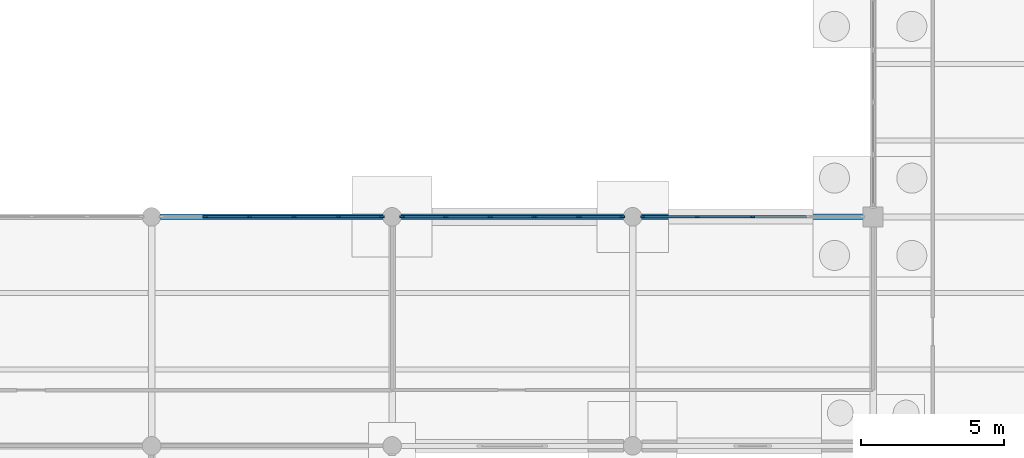
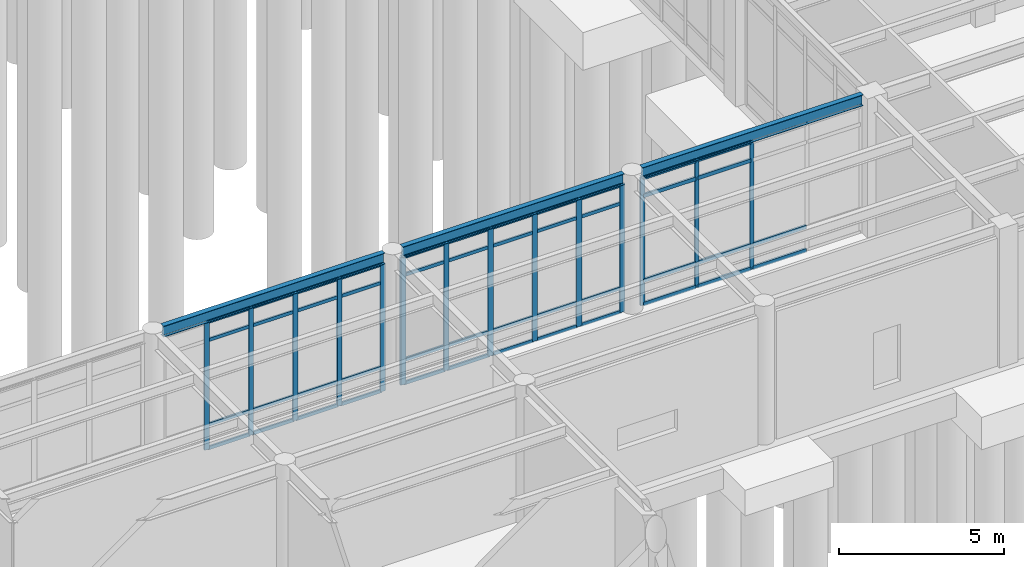
# One storey, part 57 of 138: 60 members, 3 beams, 3 elements without a shape of their own.
"""IFC4 building model written with IfcOpenShell, lengths in metres."""

from ifc_helpers import new_model, si_unit, direction, frame, origin, origin_2d, place, context, subcontext, project, spatial, rectangle, i_section, extrude, material, layer, layer_set, material_profile, profile_set, type_object, element, aggregate, save


model = new_model("IFC4")

# Units and contexts
model_context = context("Model", 3, precision=1e-05, world=origin(), true_north=direction((0.0, 1.0)))
body_context = subcontext(model_context, "Body", "Model", "MODEL_VIEW")
ifc_project = project(units=[si_unit("LENGTHUNIT", "METRE"), si_unit("AREAUNIT", "SQUARE_METRE"), si_unit("VOLUMEUNIT", "CUBIC_METRE"), si_unit("PLANEANGLEUNIT", "RADIAN"), si_unit("MASSUNIT", "GRAM", prefix="KILO")], contexts=[model_context])

# Site, building, storey
site_placement = place(None, origin())
site = spatial("IfcSite", under=ifc_project, at=site_placement, CompositionType="ELEMENT")
building_placement = place(site_placement, origin())
building = spatial("IfcBuilding", under=site, at=building_placement, Name="Kranzveld Transit Interchange", CompositionType="ELEMENT")
storey_placement = place(building_placement, origin())
storey = spatial("IfcBuildingStorey", under=building, at=storey_placement, Name="L00", CompositionType="ELEMENT", Elevation=0.0)

# Curtain wall, members
ifc_material_1 = material(Name="Bronze-anodised thermally broken aluminium", Category="aluminium")
ifc_layer_1 = layer(ifc_material_1, 0.159912109375)
ifc_layer_set_1 = layer_set([ifc_layer_1], Name="Bronze-anodised thermally broken aluminium")
curtain_wall_type_1 = type_object("IfcCurtainWallType", Name="Bus Boarding Glazed Screen CW-3", PredefinedType="USERDEFINED", material=ifc_layer_set_1)
curtain_wall_1_placement = place(storey_placement, origin())
curtain_wall_1 = element("IfcCurtainWall", 1, at=curtain_wall_1_placement, inside=storey, type_object=curtain_wall_type_1, Name="L00 Curtain Wall 18/J-19/J", ObjectType="CURTAIN WALL", PredefinedType="USERDEFINED")
ifc_material_2 = material(Name="Bronze-anodised thermally broken aluminium", Category="aluminium")
ifc_material_profile_1 = material_profile(ifc_material_2, rectangle(XDim=0.06005859375, YDim=0.14990234375, at=origin_2d()), Name="ALU MULLION 60x150")
ifc_profile_set_1 = profile_set([ifc_material_profile_1], Name="Bronze-anodised thermally broken aluminium")
member_type_1 = type_object("IfcMemberType", Name="Curtain Wall Mullion 60x150 Alu", PredefinedType="MULLION", material=ifc_profile_set_1)
member_1_placement = place(storey_placement, frame((143.155029296875, 64.0, 0.0), z_axis=(0.0, 0.0, 1.0), x_axis=(0.0, 1.0, 0.0)))
member_1 = element("IfcMember", 2, at=member_1_placement, type_object=member_type_1, Name="CW-3 mullion 1", PredefinedType="MULLION", context=body_context, shape_type="SweptSolid", body=[
    extrude(rectangle(XDim=0.06005859375, YDim=0.14990234375, at=origin_2d()), origin(), (0.0, 0.0, 1.0), 4.740478515625),
])
member_2_placement = place(storey_placement, frame((145.05615234375, 64.0, 0.0), z_axis=(0.0, 0.0, 1.0), x_axis=(0.0, 1.0, 0.0)))
member_2 = element("IfcMember", 3, at=member_2_placement, type_object=member_type_1, Name="CW-3 mullion 2", PredefinedType="MULLION", context=body_context, shape_type="SweptSolid", body=[
    extrude(rectangle(XDim=0.06005859375, YDim=0.14990234375, at=origin_2d()), origin(), (0.0, 0.0, 1.0), 4.740478515625),
])
member_3_placement = place(storey_placement, frame((146.987548828125, 64.0, 0.0), z_axis=(0.0, 0.0, 1.0), x_axis=(0.0, 1.0, 0.0)))
member_3 = element("IfcMember", 4, at=member_3_placement, type_object=member_type_1, Name="CW-3 mullion 3", PredefinedType="MULLION", context=body_context, shape_type="SweptSolid", body=[
    extrude(rectangle(XDim=0.06005859375, YDim=0.14990234375, at=origin_2d()), origin(), (0.0, 0.0, 1.0), 4.740478515625),
])

ifc_material_3 = material(Name="Bronze-anodised thermally broken aluminium", Category="aluminium")
ifc_layer_2 = layer(ifc_material_3, 0.155029296875)
ifc_layer_set_2 = layer_set([ifc_layer_2], Name="Bronze-anodised thermally broken aluminium")
curtain_wall_type_2 = type_object("IfcCurtainWallType", Name="Operations Courtyard Glazed Screen CW-6", PredefinedType="USERDEFINED", material=ifc_layer_set_2)
curtain_wall_2_placement = place(storey_placement, origin())
curtain_wall_2 = element("IfcCurtainWall", 5, at=curtain_wall_2_placement, inside=storey, type_object=curtain_wall_type_2, Name="L00 Curtain Wall 16/J-17/J", ObjectType="CURTAIN WALL", PredefinedType="USERDEFINED")
ifc_material_4 = material(Name="Bronze-anodised thermally broken aluminium", Category="aluminium")
ifc_material_profile_2 = material_profile(ifc_material_4, rectangle(XDim=0.06494140625, YDim=0.1650390625, at=origin_2d()), Name="ALU MULLION 65x165")
ifc_profile_set_2 = profile_set([ifc_material_profile_2], Name="Bronze-anodised thermally broken aluminium")
member_type_2 = type_object("IfcMemberType", Name="Curtain Wall Mullion 65x165 Alu", PredefinedType="MULLION", material=ifc_profile_set_2)
member_4_placement = place(storey_placement, frame((127.875, 64.0, 0.0), z_axis=(0.0, 0.0, 1.0), x_axis=(0.0, 1.0, 0.0)))
member_4 = element("IfcMember", 6, at=member_4_placement, type_object=member_type_2, Name="CW-6 mullion 2", PredefinedType="MULLION", context=body_context, shape_type="SweptSolid", body=[
    extrude(rectangle(XDim=0.06494140625, YDim=0.1650390625, at=origin_2d()), origin(), (0.0, 0.0, 1.0), 4.740478515625),
])
member_5_placement = place(storey_placement, frame((129.425048828125, 64.0, 0.0), z_axis=(0.0, 0.0, 1.0), x_axis=(0.0, 1.0, 0.0)))
member_5 = element("IfcMember", 7, at=member_5_placement, type_object=member_type_2, Name="CW-6 mullion 3", PredefinedType="MULLION", context=body_context, shape_type="SweptSolid", body=[
    extrude(rectangle(XDim=0.06494140625, YDim=0.1650390625, at=origin_2d()), origin(), (0.0, 0.0, 1.0), 4.740478515625),
])
member_6_placement = place(storey_placement, frame((130.97509765625, 64.0, 0.0), z_axis=(0.0, 0.0, 1.0), x_axis=(0.0, 1.0, 0.0)))
member_6 = element("IfcMember", 8, at=member_6_placement, type_object=member_type_2, Name="CW-6 mullion 4", PredefinedType="MULLION", context=body_context, shape_type="SweptSolid", body=[
    extrude(rectangle(XDim=0.06494140625, YDim=0.1650390625, at=origin_2d()), origin(), (0.0, 0.0, 1.0), 4.740478515625),
])
member_7_placement = place(storey_placement, frame((132.52490234375, 64.0, 0.0), z_axis=(0.0, 0.0, 1.0), x_axis=(0.0, 1.0, 0.0)))
member_7 = element("IfcMember", 9, at=member_7_placement, type_object=member_type_2, Name="CW-6 mullion 5", PredefinedType="MULLION", context=body_context, shape_type="SweptSolid", body=[
    extrude(rectangle(XDim=0.06494140625, YDim=0.1650390625, at=origin_2d()), origin(), (0.0, 0.0, 1.0), 4.740478515625),
])
member_8_placement = place(storey_placement, frame((134.04248046875, 64.0, 0.0), z_axis=(0.0, 0.0, 1.0), x_axis=(0.0, 1.0, 0.0)))
member_8 = element("IfcMember", 10, at=member_8_placement, type_object=member_type_2, Name="CW-6 mullion 6", PredefinedType="MULLION", context=body_context, shape_type="SweptSolid", body=[
    extrude(rectangle(XDim=0.06494140625, YDim=0.1650390625, at=origin_2d()), origin(), (0.0, 0.0, 1.0), 4.740478515625),
])

ifc_material_5 = material(Name="Bronze-anodised thermally broken aluminium", Category="aluminium")
ifc_layer_3 = layer(ifc_material_5, 0.1650390625)
ifc_layer_set_3 = layer_set([ifc_layer_3], Name="Bronze-anodised thermally broken aluminium")
curtain_wall_type_3 = type_object("IfcCurtainWallType", Name="Sunny Court Arcade Curtain Wall CW-2", PredefinedType="USERDEFINED", material=ifc_layer_set_3)
curtain_wall_3_placement = place(storey_placement, origin())
curtain_wall_3 = element("IfcCurtainWall", 11, at=curtain_wall_3_placement, inside=storey, type_object=curtain_wall_type_3, Name="L00 Curtain Wall 17/J-18/J", ObjectType="CURTAIN WALL", PredefinedType="USERDEFINED")
ifc_material_6 = material(Name="Bronze-anodised thermally broken aluminium", Category="aluminium")
ifc_material_profile_3 = material_profile(ifc_material_6, rectangle(XDim=0.06494140625, YDim=0.179931640625, at=origin_2d()), Name="ALU MULLION 65x180")
ifc_profile_set_3 = profile_set([ifc_material_profile_3], Name="Bronze-anodised thermally broken aluminium")
member_type_3 = type_object("IfcMemberType", Name="Curtain Wall Mullion 65x180 Alu", PredefinedType="MULLION", material=ifc_profile_set_3)
member_9_placement = place(storey_placement, frame((134.757568359375, 64.0, 0.0), z_axis=(0.0, 0.0, 1.0), x_axis=(0.0, 1.0, 0.0)))
member_9 = element("IfcMember", 12, at=member_9_placement, type_object=member_type_3, Name="CW-2 mullion 1", PredefinedType="MULLION", context=body_context, shape_type="SweptSolid", body=[
    extrude(rectangle(XDim=0.06494140625, YDim=0.179931640625, at=origin_2d()), origin(), (0.0, 0.0, 1.0), 4.740478515625),
])
member_10_placement = place(storey_placement, frame((136.27490234375, 64.0, 0.0), z_axis=(0.0, 0.0, 1.0), x_axis=(0.0, 1.0, 0.0)))
member_10 = element("IfcMember", 13, at=member_10_placement, type_object=member_type_3, Name="CW-2 mullion 2", PredefinedType="MULLION", context=body_context, shape_type="SweptSolid", body=[
    extrude(rectangle(XDim=0.06494140625, YDim=0.179931640625, at=origin_2d()), origin(), (0.0, 0.0, 1.0), 4.740478515625),
])
member_11_placement = place(storey_placement, frame((137.824951171875, 64.0, 0.0), z_axis=(0.0, 0.0, 1.0), x_axis=(0.0, 1.0, 0.0)))
member_11 = element("IfcMember", 14, at=member_11_placement, type_object=member_type_3, Name="CW-2 mullion 3", PredefinedType="MULLION", context=body_context, shape_type="SweptSolid", body=[
    extrude(rectangle(XDim=0.06494140625, YDim=0.179931640625, at=origin_2d()), origin(), (0.0, 0.0, 1.0), 4.740478515625),
])
member_12_placement = place(storey_placement, frame((139.375, 64.0, 0.0), z_axis=(0.0, 0.0, 1.0), x_axis=(0.0, 1.0, 0.0)))
member_12 = element("IfcMember", 15, at=member_12_placement, type_object=member_type_3, Name="CW-2 mullion 4", PredefinedType="MULLION", context=body_context, shape_type="SweptSolid", body=[
    extrude(rectangle(XDim=0.06494140625, YDim=0.179931640625, at=origin_2d()), origin(), (0.0, 0.0, 1.0), 4.740478515625),
])
member_13_placement = place(storey_placement, frame((140.925048828125, 64.0, 0.0), z_axis=(0.0, 0.0, 1.0), x_axis=(0.0, 1.0, 0.0)))
member_13 = element("IfcMember", 16, at=member_13_placement, type_object=member_type_3, Name="CW-2 mullion 5", PredefinedType="MULLION", context=body_context, shape_type="SweptSolid", body=[
    extrude(rectangle(XDim=0.06494140625, YDim=0.179931640625, at=origin_2d()), origin(), (0.0, 0.0, 1.0), 4.740478515625),
])
member_14_placement = place(storey_placement, frame((142.4423828125, 64.0, 0.0), z_axis=(0.0, 0.0, 1.0), x_axis=(0.0, 1.0, 0.0)))
member_14 = element("IfcMember", 17, at=member_14_placement, type_object=member_type_3, Name="CW-2 mullion 6", PredefinedType="MULLION", context=body_context, shape_type="SweptSolid", body=[
    extrude(rectangle(XDim=0.06494140625, YDim=0.179931640625, at=origin_2d()), origin(), (0.0, 0.0, 1.0), 4.740478515625),
])

# Member
ifc_material_7 = material(Name="Bronze-anodised thermally broken aluminium", Category="aluminium")
ifc_material_profile_4 = material_profile(ifc_material_7, rectangle(XDim=0.06005859375, YDim=0.125, at=origin_2d()), Name="ALU TRANSOM 60x125")
ifc_profile_set_4 = profile_set([ifc_material_profile_4], Name="Bronze-anodised thermally broken aluminium")
member_type_4 = type_object("IfcMemberType", Name="Curtain Wall Transom 60x125 Alu", PredefinedType="USERDEFINED", material=ifc_profile_set_4)
member_15_placement = place(storey_placement, frame((127.907470703125, 64.0, 0.030029296875), z_axis=(1.0, 0.0, 0.0), x_axis=(0.0, 1.0, 0.0)))
member_15 = element("IfcMember", 18, at=member_15_placement, type_object=member_type_4, Name="CW-6 transom 2.1", ObjectType="TRANSOM", PredefinedType="USERDEFINED", context=body_context, shape_type="SweptSolid", body=[
    extrude(rectangle(XDim=0.06005859375, YDim=0.125, at=origin_2d()), origin(), (0.0, 0.0, 1.0), 1.485107421875),
])

member_16_placement = place(storey_placement, frame((127.907470703125, 64.0, 0.89990234375), z_axis=(1.0, 0.0, 0.0), x_axis=(0.0, 1.0, 0.0)))
member_16 = element("IfcMember", 19, at=member_16_placement, type_object=member_type_4, Name="CW-6 transom 2.2", ObjectType="TRANSOM", PredefinedType="USERDEFINED", context=body_context, shape_type="SweptSolid", body=[
    extrude(rectangle(XDim=0.06005859375, YDim=0.125, at=origin_2d()), origin(), (0.0, 0.0, 1.0), 1.485107421875),
])

member_17_placement = place(storey_placement, frame((127.907470703125, 64.0, 4.04052734375), z_axis=(1.0, 0.0, 0.0), x_axis=(0.0, 1.0, 0.0)))
member_17 = element("IfcMember", 20, at=member_17_placement, type_object=member_type_4, Name="CW-6 transom 2.3", ObjectType="TRANSOM", PredefinedType="USERDEFINED", context=body_context, shape_type="SweptSolid", body=[
    extrude(rectangle(XDim=0.06005859375, YDim=0.125, at=origin_2d()), origin(), (0.0, 0.0, 1.0), 1.485107421875),
])

member_18_placement = place(storey_placement, frame((127.907470703125, 64.0, 4.710693359375), z_axis=(1.0, 0.0, 0.0), x_axis=(0.0, 1.0, 0.0)))
member_18 = element("IfcMember", 21, at=member_18_placement, type_object=member_type_4, Name="CW-6 transom 2.4", ObjectType="TRANSOM", PredefinedType="USERDEFINED", context=body_context, shape_type="SweptSolid", body=[
    extrude(rectangle(XDim=0.06005859375, YDim=0.125, at=origin_2d()), origin(), (0.0, 0.0, 1.0), 1.485107421875),
])

member_19_placement = place(storey_placement, frame((129.45751953125, 64.0, 0.030029296875), z_axis=(1.0, 0.0, 0.0), x_axis=(0.0, 1.0, 0.0)))
member_19 = element("IfcMember", 22, at=member_19_placement, type_object=member_type_4, Name="CW-6 transom 3.1", ObjectType="TRANSOM", PredefinedType="USERDEFINED", context=body_context, shape_type="SweptSolid", body=[
    extrude(rectangle(XDim=0.06005859375, YDim=0.125, at=origin_2d()), origin(), (0.0, 0.0, 1.0), 1.48486328125),
])

member_20_placement = place(storey_placement, frame((129.45751953125, 64.0, 0.89990234375), z_axis=(1.0, 0.0, 0.0), x_axis=(0.0, 1.0, 0.0)))
member_20 = element("IfcMember", 23, at=member_20_placement, type_object=member_type_4, Name="CW-6 transom 3.2", ObjectType="TRANSOM", PredefinedType="USERDEFINED", context=body_context, shape_type="SweptSolid", body=[
    extrude(rectangle(XDim=0.06005859375, YDim=0.125, at=origin_2d()), origin(), (0.0, 0.0, 1.0), 1.48486328125),
])

member_21_placement = place(storey_placement, frame((129.45751953125, 64.0, 4.04052734375), z_axis=(1.0, 0.0, 0.0), x_axis=(0.0, 1.0, 0.0)))
member_21 = element("IfcMember", 24, at=member_21_placement, type_object=member_type_4, Name="CW-6 transom 3.3", ObjectType="TRANSOM", PredefinedType="USERDEFINED", context=body_context, shape_type="SweptSolid", body=[
    extrude(rectangle(XDim=0.06005859375, YDim=0.125, at=origin_2d()), origin(), (0.0, 0.0, 1.0), 1.48486328125),
])

member_22_placement = place(storey_placement, frame((129.45751953125, 64.0, 4.710693359375), z_axis=(1.0, 0.0, 0.0), x_axis=(0.0, 1.0, 0.0)))
member_22 = element("IfcMember", 25, at=member_22_placement, type_object=member_type_4, Name="CW-6 transom 3.4", ObjectType="TRANSOM", PredefinedType="USERDEFINED", context=body_context, shape_type="SweptSolid", body=[
    extrude(rectangle(XDim=0.06005859375, YDim=0.125, at=origin_2d()), origin(), (0.0, 0.0, 1.0), 1.48486328125),
])

member_23_placement = place(storey_placement, frame((131.007568359375, 64.0, 0.030029296875), z_axis=(1.0, 0.0, 0.0), x_axis=(0.0, 1.0, 0.0)))
member_23 = element("IfcMember", 26, at=member_23_placement, type_object=member_type_4, Name="CW-6 transom 4.1", ObjectType="TRANSOM", PredefinedType="USERDEFINED", context=body_context, shape_type="SweptSolid", body=[
    extrude(rectangle(XDim=0.06005859375, YDim=0.125, at=origin_2d()), origin(), (0.0, 0.0, 1.0), 1.48486328125),
])

member_24_placement = place(storey_placement, frame((131.007568359375, 64.0, 0.89990234375), z_axis=(1.0, 0.0, 0.0), x_axis=(0.0, 1.0, 0.0)))
member_24 = element("IfcMember", 27, at=member_24_placement, type_object=member_type_4, Name="CW-6 transom 4.2", ObjectType="TRANSOM", PredefinedType="USERDEFINED", context=body_context, shape_type="SweptSolid", body=[
    extrude(rectangle(XDim=0.06005859375, YDim=0.125, at=origin_2d()), origin(), (0.0, 0.0, 1.0), 1.48486328125),
])

member_25_placement = place(storey_placement, frame((131.007568359375, 64.0, 4.04052734375), z_axis=(1.0, 0.0, 0.0), x_axis=(0.0, 1.0, 0.0)))
member_25 = element("IfcMember", 28, at=member_25_placement, type_object=member_type_4, Name="CW-6 transom 4.3", ObjectType="TRANSOM", PredefinedType="USERDEFINED", context=body_context, shape_type="SweptSolid", body=[
    extrude(rectangle(XDim=0.06005859375, YDim=0.125, at=origin_2d()), origin(), (0.0, 0.0, 1.0), 1.48486328125),
])

member_26_placement = place(storey_placement, frame((131.007568359375, 64.0, 4.710693359375), z_axis=(1.0, 0.0, 0.0), x_axis=(0.0, 1.0, 0.0)))
member_26 = element("IfcMember", 29, at=member_26_placement, type_object=member_type_4, Name="CW-6 transom 4.4", ObjectType="TRANSOM", PredefinedType="USERDEFINED", context=body_context, shape_type="SweptSolid", body=[
    extrude(rectangle(XDim=0.06005859375, YDim=0.125, at=origin_2d()), origin(), (0.0, 0.0, 1.0), 1.48486328125),
])

member_27_placement = place(storey_placement, frame((132.5576171875, 64.0, 0.030029296875), z_axis=(1.0, 0.0, 0.0), x_axis=(0.0, 1.0, 0.0)))
member_27 = element("IfcMember", 30, at=member_27_placement, type_object=member_type_4, Name="CW-6 transom 5.1", ObjectType="TRANSOM", PredefinedType="USERDEFINED", context=body_context, shape_type="SweptSolid", body=[
    extrude(rectangle(XDim=0.06005859375, YDim=0.125, at=origin_2d()), origin(), (0.0, 0.0, 1.0), 1.452392578125),
])

member_28_placement = place(storey_placement, frame((132.5576171875, 64.0, 0.89990234375), z_axis=(1.0, 0.0, 0.0), x_axis=(0.0, 1.0, 0.0)))
member_28 = element("IfcMember", 31, at=member_28_placement, type_object=member_type_4, Name="CW-6 transom 5.2", ObjectType="TRANSOM", PredefinedType="USERDEFINED", context=body_context, shape_type="SweptSolid", body=[
    extrude(rectangle(XDim=0.06005859375, YDim=0.125, at=origin_2d()), origin(), (0.0, 0.0, 1.0), 1.452392578125),
])

member_29_placement = place(storey_placement, frame((132.5576171875, 64.0, 4.04052734375), z_axis=(1.0, 0.0, 0.0), x_axis=(0.0, 1.0, 0.0)))
member_29 = element("IfcMember", 32, at=member_29_placement, type_object=member_type_4, Name="CW-6 transom 5.3", ObjectType="TRANSOM", PredefinedType="USERDEFINED", context=body_context, shape_type="SweptSolid", body=[
    extrude(rectangle(XDim=0.06005859375, YDim=0.125, at=origin_2d()), origin(), (0.0, 0.0, 1.0), 1.452392578125),
])

member_30_placement = place(storey_placement, frame((132.5576171875, 64.0, 4.710693359375), z_axis=(1.0, 0.0, 0.0), x_axis=(0.0, 1.0, 0.0)))
member_30 = element("IfcMember", 33, at=member_30_placement, type_object=member_type_4, Name="CW-6 transom 5.4", ObjectType="TRANSOM", PredefinedType="USERDEFINED", context=body_context, shape_type="SweptSolid", body=[
    extrude(rectangle(XDim=0.06005859375, YDim=0.125, at=origin_2d()), origin(), (0.0, 0.0, 1.0), 1.452392578125),
])

aggregate(curtain_wall_2, [member_4, member_5, member_6, member_7, member_8, member_15, member_16, member_17, member_18, member_19, member_20, member_21, member_22, member_23, member_24, member_25, member_26, member_27, member_28, member_29, member_30])

member_31_placement = place(storey_placement, frame((134.7900390625, 64.0, 0.030029296875), z_axis=(1.0, 0.0, 0.0), x_axis=(0.0, 1.0, 0.0)))
member_31 = element("IfcMember", 34, at=member_31_placement, type_object=member_type_4, Name="CW-2 transom 1.1", ObjectType="TRANSOM", PredefinedType="USERDEFINED", context=body_context, shape_type="SweptSolid", body=[
    extrude(rectangle(XDim=0.06005859375, YDim=0.125, at=origin_2d()), origin(), (0.0, 0.0, 1.0), 1.452392578125),
])

member_32_placement = place(storey_placement, frame((134.7900390625, 64.0, 0.89990234375), z_axis=(1.0, 0.0, 0.0), x_axis=(0.0, 1.0, 0.0)))
member_32 = element("IfcMember", 35, at=member_32_placement, type_object=member_type_4, Name="CW-2 transom 1.2", ObjectType="TRANSOM", PredefinedType="USERDEFINED", context=body_context, shape_type="SweptSolid", body=[
    extrude(rectangle(XDim=0.06005859375, YDim=0.125, at=origin_2d()), origin(), (0.0, 0.0, 1.0), 1.452392578125),
])

member_33_placement = place(storey_placement, frame((134.7900390625, 64.0, 4.04052734375), z_axis=(1.0, 0.0, 0.0), x_axis=(0.0, 1.0, 0.0)))
member_33 = element("IfcMember", 36, at=member_33_placement, type_object=member_type_4, Name="CW-2 transom 1.3", ObjectType="TRANSOM", PredefinedType="USERDEFINED", context=body_context, shape_type="SweptSolid", body=[
    extrude(rectangle(XDim=0.06005859375, YDim=0.125, at=origin_2d()), origin(), (0.0, 0.0, 1.0), 1.452392578125),
])

member_34_placement = place(storey_placement, frame((134.7900390625, 64.0, 4.710693359375), z_axis=(1.0, 0.0, 0.0), x_axis=(0.0, 1.0, 0.0)))
member_34 = element("IfcMember", 37, at=member_34_placement, type_object=member_type_4, Name="CW-2 transom 1.4", ObjectType="TRANSOM", PredefinedType="USERDEFINED", context=body_context, shape_type="SweptSolid", body=[
    extrude(rectangle(XDim=0.06005859375, YDim=0.125, at=origin_2d()), origin(), (0.0, 0.0, 1.0), 1.452392578125),
])

member_35_placement = place(storey_placement, frame((136.3076171875, 64.0, 0.030029296875), z_axis=(1.0, 0.0, 0.0), x_axis=(0.0, 1.0, 0.0)))
member_35 = element("IfcMember", 38, at=member_35_placement, type_object=member_type_4, Name="CW-2 transom 2.1", ObjectType="TRANSOM", PredefinedType="USERDEFINED", context=body_context, shape_type="SweptSolid", body=[
    extrude(rectangle(XDim=0.06005859375, YDim=0.125, at=origin_2d()), origin(), (0.0, 0.0, 1.0), 1.48486328125),
])

member_36_placement = place(storey_placement, frame((136.3076171875, 64.0, 0.89990234375), z_axis=(1.0, 0.0, 0.0), x_axis=(0.0, 1.0, 0.0)))
member_36 = element("IfcMember", 39, at=member_36_placement, type_object=member_type_4, Name="CW-2 transom 2.2", ObjectType="TRANSOM", PredefinedType="USERDEFINED", context=body_context, shape_type="SweptSolid", body=[
    extrude(rectangle(XDim=0.06005859375, YDim=0.125, at=origin_2d()), origin(), (0.0, 0.0, 1.0), 1.48486328125),
])

member_37_placement = place(storey_placement, frame((136.3076171875, 64.0, 4.04052734375), z_axis=(1.0, 0.0, 0.0), x_axis=(0.0, 1.0, 0.0)))
member_37 = element("IfcMember", 40, at=member_37_placement, type_object=member_type_4, Name="CW-2 transom 2.3", ObjectType="TRANSOM", PredefinedType="USERDEFINED", context=body_context, shape_type="SweptSolid", body=[
    extrude(rectangle(XDim=0.06005859375, YDim=0.125, at=origin_2d()), origin(), (0.0, 0.0, 1.0), 1.48486328125),
])

member_38_placement = place(storey_placement, frame((136.3076171875, 64.0, 4.710693359375), z_axis=(1.0, 0.0, 0.0), x_axis=(0.0, 1.0, 0.0)))
member_38 = element("IfcMember", 41, at=member_38_placement, type_object=member_type_4, Name="CW-2 transom 2.4", ObjectType="TRANSOM", PredefinedType="USERDEFINED", context=body_context, shape_type="SweptSolid", body=[
    extrude(rectangle(XDim=0.06005859375, YDim=0.125, at=origin_2d()), origin(), (0.0, 0.0, 1.0), 1.48486328125),
])

member_39_placement = place(storey_placement, frame((137.857421875, 64.0, 0.030029296875), z_axis=(1.0, 0.0, 0.0), x_axis=(0.0, 1.0, 0.0)))
member_39 = element("IfcMember", 42, at=member_39_placement, type_object=member_type_4, Name="CW-2 transom 3.1", ObjectType="TRANSOM", PredefinedType="USERDEFINED", context=body_context, shape_type="SweptSolid", body=[
    extrude(rectangle(XDim=0.06005859375, YDim=0.125, at=origin_2d()), origin(), (0.0, 0.0, 1.0), 1.485107421875),
])

member_40_placement = place(storey_placement, frame((137.857421875, 64.0, 0.89990234375), z_axis=(1.0, 0.0, 0.0), x_axis=(0.0, 1.0, 0.0)))
member_40 = element("IfcMember", 43, at=member_40_placement, type_object=member_type_4, Name="CW-2 transom 3.2", ObjectType="TRANSOM", PredefinedType="USERDEFINED", context=body_context, shape_type="SweptSolid", body=[
    extrude(rectangle(XDim=0.06005859375, YDim=0.125, at=origin_2d()), origin(), (0.0, 0.0, 1.0), 1.485107421875),
])

member_41_placement = place(storey_placement, frame((137.857421875, 64.0, 4.04052734375), z_axis=(1.0, 0.0, 0.0), x_axis=(0.0, 1.0, 0.0)))
member_41 = element("IfcMember", 44, at=member_41_placement, type_object=member_type_4, Name="CW-2 transom 3.3", ObjectType="TRANSOM", PredefinedType="USERDEFINED", context=body_context, shape_type="SweptSolid", body=[
    extrude(rectangle(XDim=0.06005859375, YDim=0.125, at=origin_2d()), origin(), (0.0, 0.0, 1.0), 1.485107421875),
])

member_42_placement = place(storey_placement, frame((137.857421875, 64.0, 4.710693359375), z_axis=(1.0, 0.0, 0.0), x_axis=(0.0, 1.0, 0.0)))
member_42 = element("IfcMember", 45, at=member_42_placement, type_object=member_type_4, Name="CW-2 transom 3.4", ObjectType="TRANSOM", PredefinedType="USERDEFINED", context=body_context, shape_type="SweptSolid", body=[
    extrude(rectangle(XDim=0.06005859375, YDim=0.125, at=origin_2d()), origin(), (0.0, 0.0, 1.0), 1.485107421875),
])

member_43_placement = place(storey_placement, frame((139.407470703125, 64.0, 0.030029296875), z_axis=(1.0, 0.0, 0.0), x_axis=(0.0, 1.0, 0.0)))
member_43 = element("IfcMember", 46, at=member_43_placement, type_object=member_type_4, Name="CW-2 transom 4.1", ObjectType="TRANSOM", PredefinedType="USERDEFINED", context=body_context, shape_type="SweptSolid", body=[
    extrude(rectangle(XDim=0.06005859375, YDim=0.125, at=origin_2d()), origin(), (0.0, 0.0, 1.0), 1.485107421875),
])

member_44_placement = place(storey_placement, frame((139.407470703125, 64.0, 0.89990234375), z_axis=(1.0, 0.0, 0.0), x_axis=(0.0, 1.0, 0.0)))
member_44 = element("IfcMember", 47, at=member_44_placement, type_object=member_type_4, Name="CW-2 transom 4.2", ObjectType="TRANSOM", PredefinedType="USERDEFINED", context=body_context, shape_type="SweptSolid", body=[
    extrude(rectangle(XDim=0.06005859375, YDim=0.125, at=origin_2d()), origin(), (0.0, 0.0, 1.0), 1.485107421875),
])

member_45_placement = place(storey_placement, frame((139.407470703125, 64.0, 4.04052734375), z_axis=(1.0, 0.0, 0.0), x_axis=(0.0, 1.0, 0.0)))
member_45 = element("IfcMember", 48, at=member_45_placement, type_object=member_type_4, Name="CW-2 transom 4.3", ObjectType="TRANSOM", PredefinedType="USERDEFINED", context=body_context, shape_type="SweptSolid", body=[
    extrude(rectangle(XDim=0.06005859375, YDim=0.125, at=origin_2d()), origin(), (0.0, 0.0, 1.0), 1.485107421875),
])

member_46_placement = place(storey_placement, frame((139.407470703125, 64.0, 4.710693359375), z_axis=(1.0, 0.0, 0.0), x_axis=(0.0, 1.0, 0.0)))
member_46 = element("IfcMember", 49, at=member_46_placement, type_object=member_type_4, Name="CW-2 transom 4.4", ObjectType="TRANSOM", PredefinedType="USERDEFINED", context=body_context, shape_type="SweptSolid", body=[
    extrude(rectangle(XDim=0.06005859375, YDim=0.125, at=origin_2d()), origin(), (0.0, 0.0, 1.0), 1.485107421875),
])

member_47_placement = place(storey_placement, frame((140.95751953125, 64.0, 0.030029296875), z_axis=(1.0, 0.0, 0.0), x_axis=(0.0, 1.0, 0.0)))
member_47 = element("IfcMember", 50, at=member_47_placement, type_object=member_type_4, Name="CW-2 transom 5.1", ObjectType="TRANSOM", PredefinedType="USERDEFINED", context=body_context, shape_type="SweptSolid", body=[
    extrude(rectangle(XDim=0.06005859375, YDim=0.125, at=origin_2d()), origin(), (0.0, 0.0, 1.0), 1.452392578125),
])

member_48_placement = place(storey_placement, frame((140.95751953125, 64.0, 0.89990234375), z_axis=(1.0, 0.0, 0.0), x_axis=(0.0, 1.0, 0.0)))
member_48 = element("IfcMember", 51, at=member_48_placement, type_object=member_type_4, Name="CW-2 transom 5.2", ObjectType="TRANSOM", PredefinedType="USERDEFINED", context=body_context, shape_type="SweptSolid", body=[
    extrude(rectangle(XDim=0.06005859375, YDim=0.125, at=origin_2d()), origin(), (0.0, 0.0, 1.0), 1.452392578125),
])

member_49_placement = place(storey_placement, frame((140.95751953125, 64.0, 4.04052734375), z_axis=(1.0, 0.0, 0.0), x_axis=(0.0, 1.0, 0.0)))
member_49 = element("IfcMember", 52, at=member_49_placement, type_object=member_type_4, Name="CW-2 transom 5.3", ObjectType="TRANSOM", PredefinedType="USERDEFINED", context=body_context, shape_type="SweptSolid", body=[
    extrude(rectangle(XDim=0.06005859375, YDim=0.125, at=origin_2d()), origin(), (0.0, 0.0, 1.0), 1.452392578125),
])

member_50_placement = place(storey_placement, frame((140.95751953125, 64.0, 4.710693359375), z_axis=(1.0, 0.0, 0.0), x_axis=(0.0, 1.0, 0.0)))
member_50 = element("IfcMember", 53, at=member_50_placement, type_object=member_type_4, Name="CW-2 transom 5.4", ObjectType="TRANSOM", PredefinedType="USERDEFINED", context=body_context, shape_type="SweptSolid", body=[
    extrude(rectangle(XDim=0.06005859375, YDim=0.125, at=origin_2d()), origin(), (0.0, 0.0, 1.0), 1.452392578125),
])

aggregate(curtain_wall_3, [member_9, member_10, member_11, member_12, member_13, member_14, member_31, member_32, member_33, member_34, member_35, member_36, member_37, member_38, member_39, member_40, member_41, member_42, member_43, member_44, member_45, member_46, member_47, member_48, member_49, member_50])

ifc_material_8 = material(Name="Bronze-anodised thermally broken aluminium", Category="aluminium")
ifc_material_profile_5 = material_profile(ifc_material_8, rectangle(XDim=0.06494140625, YDim=0.139892578125, at=origin_2d()), Name="ALU TRANSOM 65x140")
ifc_profile_set_5 = profile_set([ifc_material_profile_5], Name="Bronze-anodised thermally broken aluminium")
member_type_5 = type_object("IfcMemberType", Name="Curtain Wall Transom 65x140 Alu", PredefinedType="USERDEFINED", material=ifc_profile_set_5)
member_51_placement = place(storey_placement, frame((143.18505859375, 64.0, 0.032470703125), z_axis=(1.0, 0.0, 0.0), x_axis=(0.0, 1.0, 0.0)))
member_51 = element("IfcMember", 54, at=member_51_placement, type_object=member_type_5, Name="CW-3 transom 1.1", ObjectType="TRANSOM", PredefinedType="USERDEFINED", context=body_context, shape_type="SweptSolid", body=[
    extrude(rectangle(XDim=0.06494140625, YDim=0.139892578125, at=origin_2d()), origin(), (0.0, 0.0, 1.0), 1.84130859375),
])

member_52_placement = place(storey_placement, frame((143.18505859375, 64.0, 0.89990234375), z_axis=(1.0, 0.0, 0.0), x_axis=(0.0, 1.0, 0.0)))
member_52 = element("IfcMember", 55, at=member_52_placement, type_object=member_type_5, Name="CW-3 transom 1.2", ObjectType="TRANSOM", PredefinedType="USERDEFINED", context=body_context, shape_type="SweptSolid", body=[
    extrude(rectangle(XDim=0.06494140625, YDim=0.139892578125, at=origin_2d()), origin(), (0.0, 0.0, 1.0), 1.84130859375),
])

member_53_placement = place(storey_placement, frame((143.18505859375, 64.0, 4.04052734375), z_axis=(1.0, 0.0, 0.0), x_axis=(0.0, 1.0, 0.0)))
member_53 = element("IfcMember", 56, at=member_53_placement, type_object=member_type_5, Name="CW-3 transom 1.3", ObjectType="TRANSOM", PredefinedType="USERDEFINED", context=body_context, shape_type="SweptSolid", body=[
    extrude(rectangle(XDim=0.06494140625, YDim=0.139892578125, at=origin_2d()), origin(), (0.0, 0.0, 1.0), 1.84130859375),
])

member_54_placement = place(storey_placement, frame((143.18505859375, 64.0, 4.7080078125), z_axis=(1.0, 0.0, 0.0), x_axis=(0.0, 1.0, 0.0)))
member_54 = element("IfcMember", 57, at=member_54_placement, type_object=member_type_5, Name="CW-3 transom 1.4", ObjectType="TRANSOM", PredefinedType="USERDEFINED", context=body_context, shape_type="SweptSolid", body=[
    extrude(rectangle(XDim=0.06494140625, YDim=0.139892578125, at=origin_2d()), origin(), (0.0, 0.0, 1.0), 1.84130859375),
])

member_55_placement = place(storey_placement, frame((145.086181640625, 64.0, 0.032470703125), z_axis=(1.0, 0.0, 0.0), x_axis=(0.0, 1.0, 0.0)))
member_55 = element("IfcMember", 58, at=member_55_placement, type_object=member_type_5, Name="CW-3 transom 2.1", ObjectType="TRANSOM", PredefinedType="USERDEFINED", context=body_context, shape_type="SweptSolid", body=[
    extrude(rectangle(XDim=0.06494140625, YDim=0.139892578125, at=origin_2d()), origin(), (0.0, 0.0, 1.0), 1.871337890625),
])

member_56_placement = place(storey_placement, frame((145.086181640625, 64.0, 0.89990234375), z_axis=(1.0, 0.0, 0.0), x_axis=(0.0, 1.0, 0.0)))
member_56 = element("IfcMember", 59, at=member_56_placement, type_object=member_type_5, Name="CW-3 transom 2.2", ObjectType="TRANSOM", PredefinedType="USERDEFINED", context=body_context, shape_type="SweptSolid", body=[
    extrude(rectangle(XDim=0.06494140625, YDim=0.139892578125, at=origin_2d()), origin(), (0.0, 0.0, 1.0), 1.871337890625),
])

member_57_placement = place(storey_placement, frame((145.086181640625, 64.0, 4.04052734375), z_axis=(1.0, 0.0, 0.0), x_axis=(0.0, 1.0, 0.0)))
member_57 = element("IfcMember", 60, at=member_57_placement, type_object=member_type_5, Name="CW-3 transom 2.3", ObjectType="TRANSOM", PredefinedType="USERDEFINED", context=body_context, shape_type="SweptSolid", body=[
    extrude(rectangle(XDim=0.06494140625, YDim=0.139892578125, at=origin_2d()), origin(), (0.0, 0.0, 1.0), 1.871337890625),
])

member_58_placement = place(storey_placement, frame((145.086181640625, 64.0, 4.7080078125), z_axis=(1.0, 0.0, 0.0), x_axis=(0.0, 1.0, 0.0)))
member_58 = element("IfcMember", 61, at=member_58_placement, type_object=member_type_5, Name="CW-3 transom 2.4", ObjectType="TRANSOM", PredefinedType="USERDEFINED", context=body_context, shape_type="SweptSolid", body=[
    extrude(rectangle(XDim=0.06494140625, YDim=0.139892578125, at=origin_2d()), origin(), (0.0, 0.0, 1.0), 1.871337890625),
])

member_59_placement = place(storey_placement, frame((147.017578125, 64.0, 0.032470703125), z_axis=(1.0, 0.0, 0.0), x_axis=(0.0, 1.0, 0.0)))
member_59 = element("IfcMember", 62, at=member_59_placement, type_object=member_type_5, Name="CW-3 transom 3.1", ObjectType="TRANSOM", PredefinedType="USERDEFINED", context=body_context, shape_type="SweptSolid", body=[
    extrude(rectangle(XDim=0.06494140625, YDim=0.139892578125, at=origin_2d()), origin(), (0.0, 0.0, 1.0), 1.87109375),
])

member_60_placement = place(storey_placement, frame((147.017578125, 64.0, 0.89990234375), z_axis=(1.0, 0.0, 0.0), x_axis=(0.0, 1.0, 0.0)))
member_60 = element("IfcMember", 63, at=member_60_placement, type_object=member_type_5, Name="CW-3 transom 3.2", ObjectType="TRANSOM", PredefinedType="USERDEFINED", context=body_context, shape_type="SweptSolid", body=[
    extrude(rectangle(XDim=0.06494140625, YDim=0.139892578125, at=origin_2d()), origin(), (0.0, 0.0, 1.0), 1.87109375),
])

aggregate(curtain_wall_1, [member_1, member_2, member_3, member_51, member_52, member_53, member_54, member_55, member_56, member_57, member_58, member_59, member_60])

# Beams
ifc_material_9 = material(Name="Steel S355JR", Category="steel")
ifc_material_profile_6 = material_profile(ifc_material_9, i_section(OverallWidth=0.1787109375, OverallDepth=0.409423828125, WebThickness=0.0087890625, FlangeThickness=0.014404296875, FilletRadius=0.01025390625, at=origin_2d()), Name="UB 406x178x67")
ifc_profile_set_6 = profile_set([ifc_material_profile_6], Name="Steel S355JR")
beam_type = type_object("IfcBeamType", Name="Facade Spandrel UB 406x178x67 S355JR", PredefinedType="SPANDREL", material=ifc_profile_set_6)
for number, where, z_axis, x_axis, name in (
    (64, (126.31494140625, 64.0, 4.9453125), (1.0, 0.0, 0.0), (0.0, 1.0, 0.0), "L00 Girder 16-17/J"),
    (65, (134.715087890625, 64.0, 4.9453125), (1.0, 0.0, 0.0), (0.0, 1.0, 0.0), "L00 Girder 17-18/J"),
):
    element("IfcBeam", number, at=place(storey_placement, frame(where, z_axis=z_axis, x_axis=x_axis)), inside=storey, type_object=beam_type, Name=name, PredefinedType="SPANDREL", context=body_context, shape_type="SweptSolid", body=[
        extrude(i_section(OverallWidth=0.1787109375, OverallDepth=0.409423828125, WebThickness=0.0087890625, FlangeThickness=0.014404296875, FilletRadius=0.01025390625, at=origin_2d()), origin(), (0.0, 0.0, 1.0), 7.77001953125),
    ])
beam_placement = place(storey_placement, frame((143.114990234375, 64.0, 4.9453125), z_axis=(1.0, 0.0, 0.0), x_axis=(0.0, 1.0, 0.0)))
element("IfcBeam", 66, at=beam_placement, inside=storey, type_object=beam_type, Name="L00 Girder 18-19/J", PredefinedType="SPANDREL", context=body_context, shape_type="SweptSolid", body=[
    extrude(i_section(OverallWidth=0.1787109375, OverallDepth=0.409423828125, WebThickness=0.0087890625, FlangeThickness=0.014404296875, FilletRadius=0.01025390625, at=origin_2d()), origin(), (0.0, 0.0, 1.0), 7.7451171875),
])

save(model, "model.ifc")
